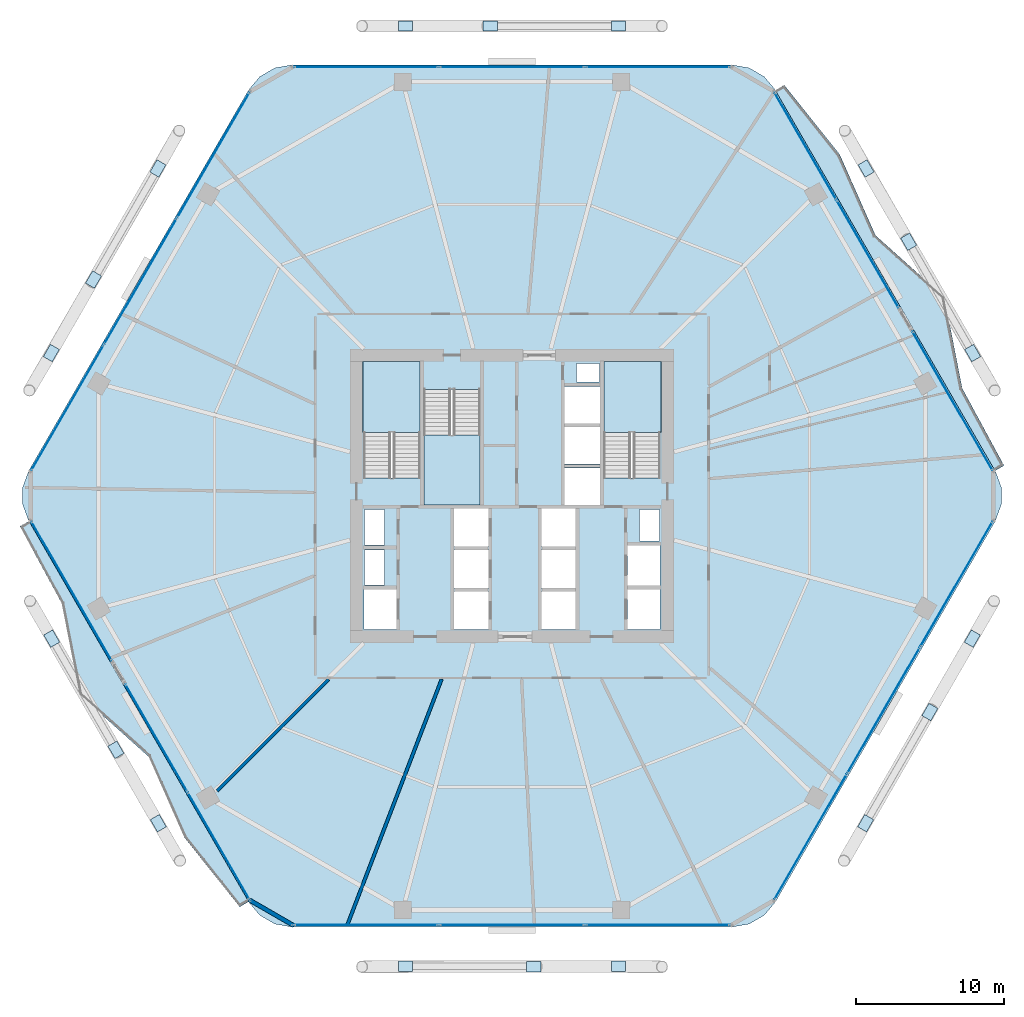
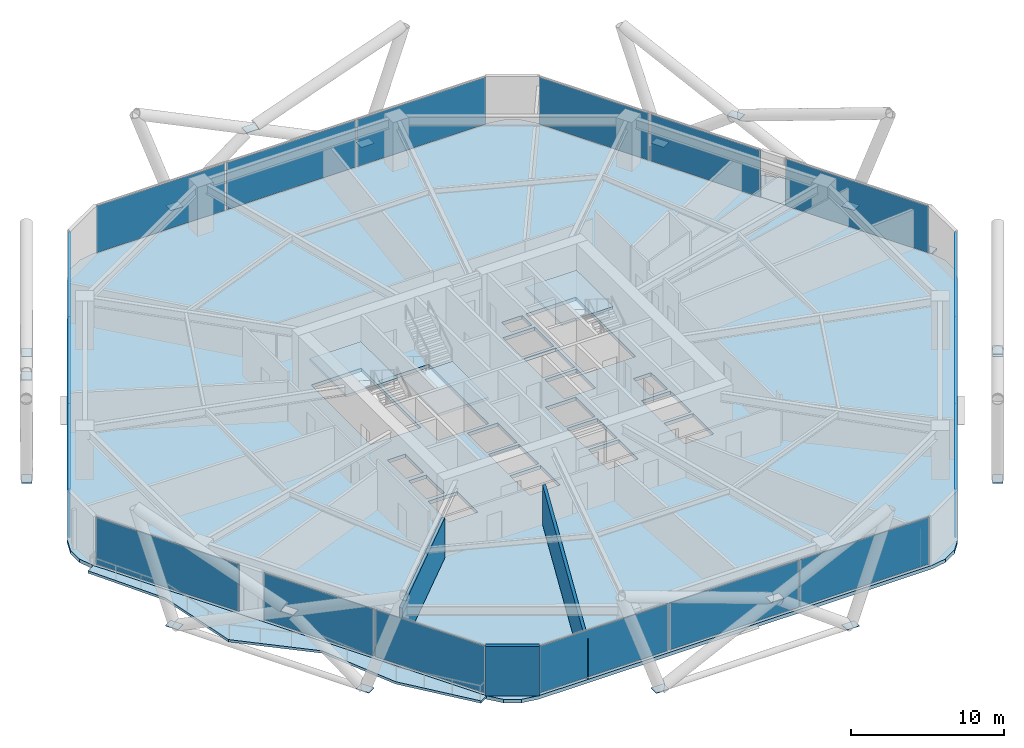
# One storey, part 24 of 30: 36 plates, 6 slabs, 3 walls, 11 elements without a shape of their own.
"""IFC4 building model written with IfcOpenShell, lengths in metres."""

import ifcopenshell
import ifcopenshell.guid

model = None  # the IFC model being written
_history = None  # IfcOwnerHistory: only IFC2X3 demands one
_inside = {}  # id of a spatial element -> (the spatial element, [elements in it])
_under = {}  # id of a project, library or spatial element -> (it, [spatial elements below it])
_declared = {}  # id of a project -> (the project, [libraries it declares])
_typed = {}  # id of a type object -> (the type object, [elements of that type])
_made_of = {}  # id of a material, layer set ... -> (it, [elements and type objects made of it])


def new_model(schema):
    """Start an empty IFC model of exactly this schema.

    Asked for "IFC4X3", IfcOpenShell would pick the latest addendum, in which some entities
    have other attributes; the version numbers below select the first issue.
    IFC2X3 requires an IfcOwnerHistory on every rooted entity: one is made here for all.
    """
    global model, _history
    if schema == "IFC4X3":
        model = ifcopenshell.file(schema_version=(4, 3, 0, 0))
    else:
        model = ifcopenshell.file(schema=schema)
    _inside.clear()
    _under.clear()
    _declared.clear()
    _typed.clear()
    _made_of.clear()
    _history = None
    if model.schema == "IFC2X3":
        org = make("IfcOrganization", Name="unknown")
        user = make(
            "IfcPersonAndOrganization",
            ThePerson=make("IfcPerson", FamilyName="unknown"),
            TheOrganization=org,
        )
        app = make(
            "IfcApplication",
            ApplicationDeveloper=org,
            Version="unknown",
            ApplicationFullName="unknown",
            ApplicationIdentifier="unknown",
        )
        _history = make(
            "IfcOwnerHistory",
            OwningUser=user,
            OwningApplication=app,
            ChangeAction="ADDED",
            CreationDate=0,
        )
    return model


def make(cls, **values):
    """One entity of the class cls with the attributes given. An attribute that is None is left unset."""
    return model.create_entity(
        cls, **{name: value for name, value in values.items() if value is not None}
    )


def rooted(cls, **values):
    """An entity with a GlobalId (a new one), such as an element, a storey or a relation."""
    return make(cls, GlobalId=ifcopenshell.guid.new(), OwnerHistory=_history, **values)


def si_unit(unit_type, name, prefix=None):
    """IfcSIUnit, for example si_unit("LENGTHUNIT", "METRE", prefix="MILLI")."""
    return make("IfcSIUnit", UnitType=unit_type, Prefix=prefix, Name=name)


def assignment(units):
    """IfcUnitAssignment: the units of a project."""
    return None if units is None else make("IfcUnitAssignment", Units=units)


def point(xyz):
    """IfcCartesianPoint."""
    return None if xyz is None else make("IfcCartesianPoint", Coordinates=xyz)


def direction(xyz):
    """IfcDirection."""
    return None if xyz is None else make("IfcDirection", DirectionRatios=xyz)


def frame(location, z_axis=None, x_axis=None):
    """IfcAxis2Placement3D, a coordinate frame: its origin and axes. An axis left out is left unset."""
    return make(
        "IfcAxis2Placement3D",
        Location=point(location),
        Axis=direction(z_axis),
        RefDirection=direction(x_axis),
    )


def frame_2d(location, x_axis=None):
    """IfcAxis2Placement2D, a coordinate frame in the plane: its origin and x axis."""
    return make(
        "IfcAxis2Placement2D", Location=point(location), RefDirection=direction(x_axis)
    )


def origin():
    """The frame at (0, 0, 0) with its axes left unset."""
    return frame((0.0, 0.0, 0.0))


def origin_2d():
    """The frame at (0, 0) in the plane with its x axis left unset."""
    return frame_2d((0.0, 0.0))


def place(relative_to, where):
    """IfcLocalPlacement: puts the frame where relative to a parent placement (None: the world)."""
    return make(
        "IfcLocalPlacement", PlacementRelTo=relative_to, RelativePlacement=where
    )


def context(
    kind, dimensions, precision=None, world=None, true_north=None, identifier=None
):
    """IfcGeometricRepresentationContext, for example the 3D "Model" context."""
    return make(
        "IfcGeometricRepresentationContext",
        ContextIdentifier=identifier,
        ContextType=kind,
        CoordinateSpaceDimension=dimensions,
        Precision=precision,
        WorldCoordinateSystem=world,
        TrueNorth=true_north,
    )


def subcontext(parent, identifier, kind, view, scale=None):
    """IfcGeometricRepresentationSubContext, for example "Body" below "Model"."""
    return make(
        "IfcGeometricRepresentationSubContext",
        ContextIdentifier=identifier,
        ContextType=kind,
        ParentContext=parent,
        TargetScale=scale,
        TargetView=view,
    )


def project(units=None, contexts=None):
    """IfcProject with its units and contexts."""
    return rooted(
        "IfcProject",
        Name="project",
        RepresentationContexts=contexts,
        UnitsInContext=assignment(units),
    )


def spatial(cls, under=None, at=None, **own):
    """A site, building, storey or space (cls), placed at a placement, below another one or the project."""
    s = rooted(cls, ObjectPlacement=at, **own)
    if under is not None:
        _under.setdefault(under.id(), (under, []))[1].append(s)
    return s


def polyline(points):
    """IfcPolyline through the points."""
    return make("IfcPolyline", Points=[point(p) for p in points])


def profile(cls, at=None, kind="AREA", **sizes):
    """A parametric profile (cls). Its sizes go by their IFC names, for example OverallWidth=200.0."""
    return make(cls, ProfileType=kind, Position=at, **sizes)


def rectangle(**sizes):
    """IfcRectangleProfileDef."""
    return profile("IfcRectangleProfileDef", **sizes)


def outline(outer, holes=None, kind="AREA"):
    """IfcArbitraryClosedProfileDef: a profile drawn as a closed curve; with holes, ...WithVoids."""
    if holes is None:
        return make("IfcArbitraryClosedProfileDef", ProfileType=kind, OuterCurve=outer)
    return make(
        "IfcArbitraryProfileDefWithVoids",
        ProfileType=kind,
        OuterCurve=outer,
        InnerCurves=holes,
    )


def extrude(swept, where, along, depth):
    """IfcExtrudedAreaSolid: the profile swept, set in the frame where, extruded along a direction by depth."""
    return make(
        "IfcExtrudedAreaSolid",
        SweptArea=swept,
        Position=where,
        ExtrudedDirection=direction(along),
        Depth=depth,
    )


def shape(context_of_items, identifier, shape_type, items):
    """IfcShapeRepresentation: the items that make up one representation, for example the "Body"."""
    return make(
        "IfcShapeRepresentation",
        ContextOfItems=context_of_items,
        RepresentationIdentifier=identifier,
        RepresentationType=shape_type,
        Items=items,
    )


def material(Name=None, Category=None):
    """IfcMaterial."""
    return make("IfcMaterial", Name=Name, Category=Category)


def layer(
    of_material, thickness, ventilated=None, Name=None, Category=None, Priority=None
):
    """IfcMaterialLayer: one layer of a wall or slab, of a material (None: an air gap)."""
    return make(
        "IfcMaterialLayer",
        Material=of_material,
        LayerThickness=thickness,
        IsVentilated=ventilated,
        Name=Name,
        Category=Category,
        Priority=Priority,
    )


def layer_set(layers, Name=None):
    """IfcMaterialLayerSet."""
    return make("IfcMaterialLayerSet", MaterialLayers=layers, LayerSetName=Name)


def made_of(thing, what):
    """Note that an element or type object is made of a material, layer set ...; save() writes the relation."""
    if what is not None:
        _made_of.setdefault(what.id(), (what, []))[1].append(thing)
    return thing


def type_object(cls, material=None, **own):
    """A type object (cls), such as IfcWallType, which elements share."""
    return made_of(rooted(cls, **own), material)


def element(
    cls,
    number,
    at=None,
    inside=None,
    cuts=None,
    type_object=None,
    material=None,
    context=None,
    identifier="Body",
    shape_type=None,
    held_by="IfcProductDefinitionShape",
    body=None,
    shapes=None,
    **own,
):
    """One element of the class cls, such as IfcWall. Its Tag is "e" and its number.

    at: its placement. inside: the storey or other place that contains it. cuts: it is an
    opening in that element (IfcRelVoidsElement). A single representation is given by context,
    identifier, shape_type and body (its items); several are given by shapes. held_by: the class
    of the entity that holds the representations. save() writes the other relations.
    """
    e = rooted(cls, Tag="e%d" % number, ObjectPlacement=at, **own)
    if body is not None:
        shapes = [shape(context, identifier, shape_type, body)]
    if shapes is not None:
        e.Representation = make(held_by, Representations=shapes)
    if inside is not None:
        _inside.setdefault(inside.id(), (inside, []))[1].append(e)
    if cuts is not None:
        rooted(
            "IfcRelVoidsElement", RelatingBuildingElement=cuts, RelatedOpeningElement=e
        )
    if type_object is not None:
        _typed.setdefault(type_object.id(), (type_object, []))[1].append(e)
    return made_of(e, material)


def aggregate(whole, parts):
    """IfcRelAggregates: a whole, such as a stair, and the parts it consists of."""
    return rooted("IfcRelAggregates", RelatingObject=whole, RelatedObjects=parts)


def save(model, path):
    """Write the relations noted so far, then the file.

    IfcRelAggregates (storeys below a building ...), IfcRelContainedInSpatialStructure (elements
    in a storey), IfcRelDefinesByType, IfcRelAssociatesMaterial and IfcRelDeclares: one each for
    every whole, place, type object, material and project.
    """
    for whole, parts in _under.values():
        aggregate(whole, parts)
    for where, things in _inside.values():
        rooted(
            "IfcRelContainedInSpatialStructure",
            RelatedElements=things,
            RelatingStructure=where,
        )
    for kind, things in _typed.values():
        rooted("IfcRelDefinesByType", RelatedObjects=things, RelatingType=kind)
    for what, things in _made_of.values():
        rooted("IfcRelAssociatesMaterial", RelatedObjects=things, RelatingMaterial=what)
    for by, libraries in _declared.values():
        rooted("IfcRelDeclares", RelatingContext=by, RelatedDefinitions=libraries)
    model.write(path)


model = new_model("IFC4")

# Units and contexts
model_context = context("Model", 3, precision=1e-05, world=origin(), true_north=direction((0.0, 1.0)))
body_context = subcontext(model_context, "Body", "Model", "MODEL_VIEW")
ifc_project = project(units=[si_unit("LENGTHUNIT", "METRE"), si_unit("AREAUNIT", "SQUARE_METRE"), si_unit("VOLUMEUNIT", "CUBIC_METRE"), si_unit("PLANEANGLEUNIT", "RADIAN"), si_unit("MASSUNIT", "GRAM", prefix="KILO")], contexts=[model_context])

# Site, building, storey
site_placement = place(None, origin())
site = spatial("IfcSite", under=ifc_project, at=site_placement, CompositionType="ELEMENT")
building_placement = place(site_placement, origin())
building = spatial("IfcBuilding", under=site, at=building_placement, Name="Zuhravey Tower", CompositionType="ELEMENT")
storey_placement = place(building_placement, frame((0.0, 0.0, 16.199951171875)))
storey = spatial("IfcBuildingStorey", under=building, at=storey_placement, Name="L04", CompositionType="ELEMENT", Elevation=16.199951171875)

# Curtain wall, plates
ifc_material_1 = material(Name="Thermally broken anodised aluminium", Category="aluminium")
curtain_wall_type = type_object("IfcCurtainWallType", Name="School Low-E Unitised Curtain Wall CW1", PredefinedType="NOTDEFINED", material=ifc_material_1)
curtain_wall_1_placement = place(storey_placement, origin())
curtain_wall_1 = element("IfcCurtainWall", 1, at=curtain_wall_1_placement, inside=storey, type_object=curtain_wall_type, Name="L04 CW1 CW-L04-F6-1", PredefinedType="NOTDEFINED")
ifc_material_2 = material(Name="Laminated acoustic low-E vision glass", Category="glass")
ifc_layer_1 = layer(ifc_material_2, 0.048095703125)
ifc_layer_set_1 = layer_set([ifc_layer_1], Name="Laminated acoustic low-E vision glass")
plate_type_1 = type_object("IfcPlateType", Name="Acoustic School Vision Panel", PredefinedType="CURTAIN_PANEL", material=ifc_layer_set_1)
plate_1_placement = place(storey_placement, frame((66.000732421875, 26.045654296875, 0.08984375), z_axis=(0.0, 0.0, 1.0), x_axis=(-0.499999794119, -0.86602552265, 0.0)))
plate_1 = element("IfcPlate", 2, at=plate_1_placement, type_object=plate_type_1, Name="CW1 panel 1.1", PredefinedType="CURTAIN_PANEL", context=body_context, shape_type="SweptSolid", body=[
    extrude(rectangle(XDim=9.7314453125, YDim=0.048095703125, at=origin_2d()), origin(), (0.0, 0.0, 1.0), 3.739990234375),
])
plate_2_placement = place(storey_placement, frame((61.078857421875, 17.520751953125, 0.08984375), z_axis=(0.0, 0.0, 1.0), x_axis=(-0.499999794119, -0.86602552265, 0.0)))
plate_2 = element("IfcPlate", 3, at=plate_2_placement, type_object=plate_type_1, Name="CW1 panel 2.1", PredefinedType="CURTAIN_PANEL", context=body_context, shape_type="SweptSolid", body=[
    extrude(rectangle(XDim=9.7763671875, YDim=0.048095703125, at=origin_2d()), origin(), (0.0, 0.0, 1.0), 3.739990234375),
])
plate_3_placement = place(storey_placement, frame((56.15673828125, 8.995849609375, 0.08984375), z_axis=(0.0, 0.0, 1.0), x_axis=(-0.499999794119, -0.86602552265, 0.0)))
plate_3 = element("IfcPlate", 4, at=plate_3_placement, type_object=plate_type_1, Name="CW1 panel 3.1", PredefinedType="CURTAIN_PANEL", context=body_context, shape_type="SweptSolid", body=[
    extrude(rectangle(XDim=9.7314453125, YDim=0.048095703125, at=origin_2d()), origin(), (0.0, 0.0, 1.0), 3.739990234375),
])
aggregate(curtain_wall_1, [plate_1, plate_2, plate_3])

curtain_wall_2_placement = place(storey_placement, origin())
curtain_wall_2 = element("IfcCurtainWall", 5, at=curtain_wall_2_placement, inside=storey, type_object=curtain_wall_type, Name="L04 CW1 CW-L04-F5-1", PredefinedType="NOTDEFINED")
plate_4_placement = place(storey_placement, frame((45.84375, 3.04150390625, 0.08984375), z_axis=(0.0, 0.0, 1.0), x_axis=(-1.0, 0.0, 0.0)))
plate_4 = element("IfcPlate", 6, at=plate_4_placement, type_object=plate_type_1, Name="CW1 panel 1.1", PredefinedType="CURTAIN_PANEL", context=body_context, shape_type="SweptSolid", body=[
    extrude(rectangle(XDim=9.7314453125, YDim=0.048095703125, at=origin_2d()), origin(), (0.0, 0.0, 1.0), 3.739990234375),
])
plate_5_placement = place(storey_placement, frame((36.0, 3.04150390625, 0.08984375), z_axis=(0.0, 0.0, 1.0), x_axis=(-1.0, 0.0, 0.0)))
plate_5 = element("IfcPlate", 7, at=plate_5_placement, type_object=plate_type_1, Name="CW1 panel 2.1", PredefinedType="CURTAIN_PANEL", context=body_context, shape_type="SweptSolid", body=[
    extrude(rectangle(XDim=9.7763671875, YDim=0.048095703125, at=origin_2d()), origin(), (0.0, 0.0, 1.0), 3.739990234375),
])
plate_6_placement = place(storey_placement, frame((26.15625, 3.04150390625, 0.08984375), z_axis=(0.0, 0.0, 1.0), x_axis=(-1.0, 0.0, 0.0)))
plate_6 = element("IfcPlate", 8, at=plate_6_placement, type_object=plate_type_1, Name="CW1 panel 3.1", PredefinedType="CURTAIN_PANEL", context=body_context, shape_type="SweptSolid", body=[
    extrude(rectangle(XDim=9.7314453125, YDim=0.048095703125, at=origin_2d()), origin(), (0.0, 0.0, 1.0), 3.739990234375),
])
aggregate(curtain_wall_2, [plate_4, plate_5, plate_6])

curtain_wall_3_placement = place(storey_placement, origin())
curtain_wall_3 = element("IfcCurtainWall", 9, at=curtain_wall_3_placement, inside=storey, type_object=curtain_wall_type, Name="L04 CW1 CW-L04-F4-1", PredefinedType="NOTDEFINED")
plate_7_placement = place(storey_placement, frame((16.1953125, 8.3857421875, 0.08984375), z_axis=(0.0, 0.0, 1.0), x_axis=(-0.499999818499, 0.866025508574, 0.0)))
plate_7 = element("IfcPlate", 10, at=plate_7_placement, type_object=plate_type_1, Name="CW1 panel 1.1", PredefinedType="CURTAIN_PANEL", context=body_context, shape_type="SweptSolid", body=[
    extrude(rectangle(XDim=8.322509765625, YDim=0.048095703125, at=origin_2d()), origin(), (0.0, 0.0, 1.0), 3.739990234375),
])
plate_8_placement = place(storey_placement, frame((11.989013671875, 15.671142578125, 0.08984375), z_axis=(0.0, 0.0, 1.0), x_axis=(-0.499999818499, 0.866025508574, 0.0)))
plate_8 = element("IfcPlate", 11, at=plate_8_placement, type_object=plate_type_1, Name="CW1 panel 2.1", PredefinedType="CURTAIN_PANEL", context=body_context, shape_type="SweptSolid", body=[
    extrude(rectangle(XDim=8.322509765625, YDim=0.048095703125, at=origin_2d()), origin(), (0.0, 0.0, 1.0), 3.739990234375),
])
aggregate(curtain_wall_3, [plate_7, plate_8])

# Curtain wall, plate
curtain_wall_4_placement = place(storey_placement, origin())
curtain_wall_4 = element("IfcCurtainWall", 12, at=curtain_wall_4_placement, inside=storey, type_object=curtain_wall_type, Name="L04 CW1 CW-L04-F4-2", PredefinedType="NOTDEFINED")
plate_9_placement = place(storey_placement, frame((6.267333984375, 25.581298828125, 0.08984375), z_axis=(0.0, 0.0, 1.0), x_axis=(-0.499998022171, 0.866026545681, 0.0)))
plate_9 = element("IfcPlate", 13, at=plate_9_placement, type_object=plate_type_1, Name="CW1 panel 1.1", PredefinedType="CURTAIN_PANEL", context=body_context, shape_type="SweptSolid", body=[
    extrude(rectangle(XDim=10.803955078125, YDim=0.048095703125, at=origin_2d()), origin(), (0.0, 0.0, 1.0), 3.739990234375),
])
aggregate(curtain_wall_4, [plate_9])

# Curtain wall, plates
curtain_wall_5_placement = place(storey_placement, origin())
curtain_wall_5 = element("IfcCurtainWall", 14, at=curtain_wall_5_placement, inside=storey, type_object=curtain_wall_type, Name="L04 CW1 CW-L04-F3-1", PredefinedType="NOTDEFINED")
plate_10_placement = place(storey_placement, frame((5.999267578125, 37.954345703125, 0.08984375), z_axis=(0.0, 0.0, 1.0), x_axis=(0.499999794119, 0.86602552265, 0.0)))
plate_10 = element("IfcPlate", 15, at=plate_10_placement, type_object=plate_type_1, Name="CW1 panel 1.1", PredefinedType="CURTAIN_PANEL", context=body_context, shape_type="SweptSolid", body=[
    extrude(rectangle(XDim=9.7314453125, YDim=0.048095703125, at=origin_2d()), origin(), (0.0, 0.0, 1.0), 3.739990234375),
])
plate_11_placement = place(storey_placement, frame((10.921142578125, 46.479248046875, 0.08984375), z_axis=(0.0, 0.0, 1.0), x_axis=(0.499999794119, 0.86602552265, 0.0)))
plate_11 = element("IfcPlate", 16, at=plate_11_placement, type_object=plate_type_1, Name="CW1 panel 2.1", PredefinedType="CURTAIN_PANEL", context=body_context, shape_type="SweptSolid", body=[
    extrude(rectangle(XDim=9.7763671875, YDim=0.048095703125, at=origin_2d()), origin(), (0.0, 0.0, 1.0), 3.739990234375),
])
plate_12_placement = place(storey_placement, frame((15.84326171875, 55.004150390625, 0.08984375), z_axis=(0.0, 0.0, 1.0), x_axis=(0.499999794119, 0.86602552265, 0.0)))
plate_12 = element("IfcPlate", 17, at=plate_12_placement, type_object=plate_type_1, Name="CW1 panel 3.1", PredefinedType="CURTAIN_PANEL", context=body_context, shape_type="SweptSolid", body=[
    extrude(rectangle(XDim=9.7314453125, YDim=0.048095703125, at=origin_2d()), origin(), (0.0, 0.0, 1.0), 3.739990234375),
])
aggregate(curtain_wall_5, [plate_10, plate_11, plate_12])

curtain_wall_6_placement = place(storey_placement, origin())
curtain_wall_6 = element("IfcCurtainWall", 18, at=curtain_wall_6_placement, inside=storey, type_object=curtain_wall_type, Name="L04 CW1 CW-L04-F2-1", PredefinedType="NOTDEFINED")
plate_13_placement = place(storey_placement, frame((26.15625, 60.95849609375, 0.08984375), z_axis=(0.0, 0.0, 1.0), x_axis=(1.0, 0.0, 0.0)))
plate_13 = element("IfcPlate", 19, at=plate_13_placement, type_object=plate_type_1, Name="CW1 panel 1.1", PredefinedType="CURTAIN_PANEL", context=body_context, shape_type="SweptSolid", body=[
    extrude(rectangle(XDim=9.7314453125, YDim=0.048095703125, at=origin_2d()), origin(), (0.0, 0.0, 1.0), 3.739990234375),
])
plate_14_placement = place(storey_placement, frame((36.0, 60.95849609375, 0.08984375), z_axis=(0.0, 0.0, 1.0), x_axis=(1.0, 0.0, 0.0)))
plate_14 = element("IfcPlate", 20, at=plate_14_placement, type_object=plate_type_1, Name="CW1 panel 2.1", PredefinedType="CURTAIN_PANEL", context=body_context, shape_type="SweptSolid", body=[
    extrude(rectangle(XDim=9.7763671875, YDim=0.048095703125, at=origin_2d()), origin(), (0.0, 0.0, 1.0), 3.739990234375),
])
plate_15_placement = place(storey_placement, frame((45.84375, 60.95849609375, 0.08984375), z_axis=(0.0, 0.0, 1.0), x_axis=(1.0, 0.0, 0.0)))
plate_15 = element("IfcPlate", 21, at=plate_15_placement, type_object=plate_type_1, Name="CW1 panel 3.1", PredefinedType="CURTAIN_PANEL", context=body_context, shape_type="SweptSolid", body=[
    extrude(rectangle(XDim=9.7314453125, YDim=0.048095703125, at=origin_2d()), origin(), (0.0, 0.0, 1.0), 3.739990234375),
])
aggregate(curtain_wall_6, [plate_13, plate_14, plate_15])

curtain_wall_7_placement = place(storey_placement, origin())
curtain_wall_7 = element("IfcCurtainWall", 22, at=curtain_wall_7_placement, inside=storey, type_object=curtain_wall_type, Name="L04 CW1 CW-L04-F1-1", PredefinedType="NOTDEFINED")
plate_16_placement = place(storey_placement, frame((55.8046875, 55.6142578125, 0.08984375), z_axis=(0.0, 0.0, 1.0), x_axis=(0.499999818499, -0.866025508574, 0.0)))
plate_16 = element("IfcPlate", 23, at=plate_16_placement, type_object=plate_type_1, Name="CW1 panel 1.1", PredefinedType="CURTAIN_PANEL", context=body_context, shape_type="SweptSolid", body=[
    extrude(rectangle(XDim=8.322509765625, YDim=0.048095703125, at=origin_2d()), origin(), (0.0, 0.0, 1.0), 3.739990234375),
])
plate_17_placement = place(storey_placement, frame((60.010986328125, 48.328857421875, 0.08984375), z_axis=(0.0, 0.0, 1.0), x_axis=(0.499999818499, -0.866025508574, 0.0)))
plate_17 = element("IfcPlate", 24, at=plate_17_placement, type_object=plate_type_1, Name="CW1 panel 2.1", PredefinedType="CURTAIN_PANEL", context=body_context, shape_type="SweptSolid", body=[
    extrude(rectangle(XDim=8.322509765625, YDim=0.048095703125, at=origin_2d()), origin(), (0.0, 0.0, 1.0), 3.739990234375),
])
aggregate(curtain_wall_7, [plate_16, plate_17])

# Curtain wall, plate
curtain_wall_8_placement = place(storey_placement, origin())
curtain_wall_8 = element("IfcCurtainWall", 25, at=curtain_wall_8_placement, inside=storey, type_object=curtain_wall_type, Name="L04 CW1 CW-L04-F1-2", PredefinedType="NOTDEFINED")
plate_18_placement = place(storey_placement, frame((65.732666015625, 38.418701171875, 0.08984375), z_axis=(0.0, 0.0, 1.0), x_axis=(0.499998022171, -0.866026545681, 0.0)))
plate_18 = element("IfcPlate", 26, at=plate_18_placement, type_object=plate_type_1, Name="CW1 panel 1.1", PredefinedType="CURTAIN_PANEL", context=body_context, shape_type="SweptSolid", body=[
    extrude(rectangle(XDim=10.803955078125, YDim=0.048095703125, at=origin_2d()), origin(), (0.0, 0.0, 1.0), 3.739990234375),
])
aggregate(curtain_wall_8, [plate_18])

# Plates
ifc_material_3 = material(Name="Steel SM460", Category="steel")
ifc_layer_2 = layer(ifc_material_3, 0.0400390625)
ifc_layer_set_2 = layer_set([ifc_layer_2], Name="Steel SM460")
plate_type_2 = type_object("IfcPlateType", Name="Exoskeleton Zone 1 Node Plate ND1", PredefinedType="SHEET", material=ifc_layer_set_2)
for number, where, z_axis, x_axis, name in (
    (27, (67.091796875, 41.644287109375, -0.513916015625), (0.0, 0.0, 1.0), (-0.5, 0.866025403784, 0.0), "L04 Exoskeleton Node Gusset L04-01"),
    (28, (59.898193359375, 54.104248046875, -0.513916015625), (0.0, 0.0, 1.0), (-0.5, 0.866025403784, 0.0), "L04 Exoskeleton Node Gusset L04-02"),
    (29, (43.19384765625, 63.718505859375, -0.513916015625), (0.0, 0.0, 1.0), (-1.0, 0.0, 0.0), "L04 Exoskeleton Node Gusset L04-03"),
    (30, (28.80615234375, 63.718505859375, -0.513916015625), (0.0, 0.0, 1.0), (-1.0, 0.0, 0.0), "L04 Exoskeleton Node Gusset L04-04"),
    (31, (12.101806640625, 54.104248046875, -0.513916015625), (0.0, 0.0, 1.0), (-0.5, -0.866025403784, 0.0), "L04 Exoskeleton Node Gusset L04-05"),
    (32, (4.908203125, 41.644287109375, -0.513916015625), (0.0, 0.0, 1.0), (-0.5, -0.866025403784, 0.0), "L04 Exoskeleton Node Gusset L04-06"),
    (33, (4.93408203125, 22.370849609375, -0.513916015625), (0.0, 0.0, 1.0), (0.5, -0.866025403784, 0.0), "L04 Exoskeleton Node Gusset L04-07"),
    (34, (12.1279296875, 9.91064453125, -0.513916015625), (0.0, 0.0, 1.0), (0.5, -0.866025403784, 0.0), "L04 Exoskeleton Node Gusset L04-08"),
    (35, (28.80615234375, 0.25146484375, -0.513916015625), (0.0, 0.0, 1.0), (1.0, 0.0, 0.0), "L04 Exoskeleton Node Gusset L04-09"),
    (36, (43.19384765625, 0.25146484375, -0.513916015625), (0.0, 0.0, 1.0), (1.0, 0.0, 0.0), "L04 Exoskeleton Node Gusset L04-10"),
    (37, (59.8720703125, 9.91064453125, -0.513916015625), (0.0, 0.0, 1.0), (0.5, 0.866025403784, 0.0), "L04 Exoskeleton Node Gusset L04-11"),
    (38, (67.06591796875, 22.370849609375, -0.513916015625), (0.0, 0.0, 1.0), (0.5, 0.866025403784, 0.0), "L04 Exoskeleton Node Gusset L04-12"),
    (39, (62.772216796875, 49.156005859375, 3.68603515625), (0.0, 0.0, 1.0), (-0.5, 0.866025403784, 0.0), "L04 Face 1 Diagrid X-Crossing Plate"),
    (40, (34.528564453125, 63.718505859375, 3.68603515625), (0.0, 0.0, 1.0), (-1.0, 0.0, 0.0), "L04 Face 2 Diagrid X-Crossing Plate"),
    (41, (7.75634765625, 46.607421875, 3.68603515625), (0.0, 0.0, 1.0), (-0.5, -0.866025403784, 0.0), "L04 Face 3 Diagrid X-Crossing Plate"),
    (42, (9.266845703125, 14.866455078125, 3.68603515625), (0.0, 0.0, 1.0), (0.5, -0.866025403784, 0.0), "L04 Face 4 Diagrid X-Crossing Plate"),
    (43, (37.471435546875, 0.236572265625, 3.68603515625), (0.0, 0.0, 1.0), (1.0, 0.0, 0.0), "L04 Face 5 Diagrid X-Crossing Plate"),
    (44, (64.204833984375, 17.4150390625, 3.68603515625), (0.0, 0.0, 1.0), (0.5, 0.866025403784, 0.0), "L04 Face 6 Diagrid X-Crossing Plate"),
):
    element("IfcPlate", number, at=place(storey_placement, frame(where, z_axis=z_axis, x_axis=x_axis)), inside=storey, type_object=plate_type_2, Name=name, PredefinedType="SHEET", context=body_context, shape_type="SweptSolid", body=[
        extrude(rectangle(XDim=0.9599609375, YDim=0.699951171875, at=origin_2d()), origin(), (0.0, 0.0, 1.0), 0.0400390625),
    ])

# Slabs
ifc_material_4 = material(Name="Concrete C50/60", Category="concrete")
ifc_layer_3 = layer(ifc_material_4, 0.280029296875)
ifc_layer_set_3 = layer_set([ifc_layer_3], Name="Concrete C50/60")
slab_type_1 = type_object("IfcSlabType", Name="School Composite Floor Slab 280", PredefinedType="FLOOR", material=ifc_layer_set_3)
slab_1_placement = place(storey_placement, frame((0.0, 0.0, -0.280029296875)))
element("IfcSlab", 45, at=slab_1_placement, inside=storey, type_object=slab_type_1, Name="L04 Floor Slab FS28", PredefinedType="FLOOR", context=body_context, shape_type="SweptSolid", body=[
    extrude(outline(polyline([(68.618408203125, 30.300048828125), (69.0224609375, 31.40966796875), (69.0224609375, 32.59033203125), (68.618408203125, 33.699951171875), (53.781494140625, 59.3984375), (53.0224609375, 60.302978515625), (52.0, 60.893310546875), (50.8369140625, 61.098388671875), (21.1630859375, 61.098388671875), (20.0, 60.893310546875), (18.9775390625, 60.302978515625), (18.218505859375, 59.3984375), (3.381591796875, 33.699951171875), (2.9775390625, 32.59033203125), (2.9775390625, 31.40966796875), (3.381591796875, 30.300048828125), (18.218505859375, 4.6015625), (18.9775390625, 3.697021484375), (20.0, 3.106689453125), (21.1630859375, 2.901611328125), (50.8369140625, 2.901611328125), (52.0, 3.106689453125), (53.0224609375, 3.697021484375), (53.781494140625, 4.6015625), (68.618408203125, 30.300048828125)]), holes=[polyline([(29.800048828125, 33.20068359375), (29.800048828125, 41.0), (26.0, 41.0), (26.0, 33.20068359375), (29.800048828125, 33.20068359375)]), polyline([(46.0, 33.20068359375), (46.0, 41.0), (42.199951171875, 41.0), (42.199951171875, 33.20068359375), (46.0, 33.20068359375)]), polyline([(30.050048828125, 39.199462890625), (30.050048828125, 31.39990234375), (33.85009765625, 31.39990234375), (33.85009765625, 39.199462890625), (30.050048828125, 39.199462890625)]), polyline([(32.10009765625, 23.0), (34.39990234375, 23.0), (34.39990234375, 25.550048828125), (32.10009765625, 25.550048828125), (32.10009765625, 23.0)]), polyline([(32.10009765625, 25.800048828125), (34.39990234375, 25.800048828125), (34.39990234375, 28.35009765625), (32.10009765625, 28.35009765625), (32.10009765625, 25.800048828125)]), polyline([(32.10009765625, 28.60009765625), (34.39990234375, 28.60009765625), (34.39990234375, 31.14990234375), (32.10009765625, 31.14990234375), (32.10009765625, 28.60009765625)]), polyline([(38.0, 23.0), (40.300048828125, 23.0), (40.300048828125, 25.550048828125), (38.0, 25.550048828125), (38.0, 23.0)]), polyline([(38.0, 25.800048828125), (40.300048828125, 25.800048828125), (40.300048828125, 28.35009765625), (38.0, 28.35009765625), (38.0, 25.800048828125)]), polyline([(38.0, 28.60009765625), (40.300048828125, 28.60009765625), (40.300048828125, 31.14990234375), (38.0, 31.14990234375), (38.0, 28.60009765625)]), polyline([(39.550048828125, 31.39990234375), (41.949951171875, 31.39990234375), (41.949951171875, 33.89990234375), (39.550048828125, 33.89990234375), (39.550048828125, 31.39990234375)]), polyline([(39.550048828125, 34.14990234375), (41.949951171875, 34.14990234375), (41.949951171875, 36.64990234375), (39.550048828125, 36.64990234375), (39.550048828125, 34.14990234375)]), polyline([(39.550048828125, 36.89990234375), (41.949951171875, 36.89990234375), (41.949951171875, 39.39990234375), (39.550048828125, 39.39990234375), (39.550048828125, 36.89990234375)]), polyline([(26.0, 23.0), (28.199951171875, 23.0), (28.199951171875, 25.699951171875), (26.0, 25.699951171875), (26.0, 23.0)]), polyline([(43.800048828125, 23.0), (46.0, 23.0), (46.0, 25.699951171875), (43.800048828125, 25.699951171875), (43.800048828125, 23.0)]), polyline([(43.800048828125, 25.949951171875), (46.0, 25.949951171875), (46.0, 28.64990234375), (43.800048828125, 28.64990234375), (43.800048828125, 25.949951171875)]), polyline([(26.050048828125, 26.0), (27.39990234375, 26.0), (27.39990234375, 28.35009765625), (26.050048828125, 28.35009765625), (26.050048828125, 26.0)]), polyline([(26.050048828125, 28.699951171875), (27.39990234375, 28.699951171875), (27.39990234375, 31.10009765625), (26.050048828125, 31.10009765625), (26.050048828125, 28.699951171875)]), polyline([(44.60009765625, 28.949951171875), (45.949951171875, 28.949951171875), (45.949951171875, 31.10009765625), (44.60009765625, 31.10009765625), (44.60009765625, 28.949951171875)]), polyline([(40.35009765625, 39.699951171875), (41.89990234375, 39.699951171875), (41.89990234375, 40.949951171875), (40.35009765625, 40.949951171875), (40.35009765625, 39.699951171875)])]), origin(), (0.0, 0.0, 1.0), 0.280029296875),
])
ifc_material_5 = material(Name="Precast concrete C40/50", Category="concrete")
ifc_layer_4 = layer(ifc_material_5, 0.18994140625)
ifc_layer_set_4 = layer_set([ifc_layer_4], Name="Precast concrete C40/50")
slab_type_2 = type_object("IfcSlabType", Name="Sinusoidal School Sunshade Ledge 190", PredefinedType="FLOOR", material=ifc_layer_set_4)
slab_2_placement = place(storey_placement, frame((0.0, 0.0, -0.18994140625)))
element("IfcSlab", 46, at=slab_2_placement, inside=storey, type_object=slab_type_2, Name="L04 Face 1 Wave Balcony WL19", PredefinedType="FLOOR", context=body_context, shape_type="SweptSolid", body=[
    extrude(outline(polyline([(68.601318359375, 33.699951171875), (53.772705078125, 59.383544921875), (54.37890625, 59.7333984375), (58.1181640625, 55.043212890625), (60.531982421875, 49.587890625), (65.1796875, 45.422607421875), (66.38330078125, 39.268310546875), (69.20751953125, 34.050048828125), (68.601318359375, 33.699951171875)])), origin(), (0.0, 0.0, 1.0), 0.18994140625),
])
slab_3_placement = place(storey_placement, frame((0.0, 0.0, -0.18994140625)))
element("IfcSlab", 47, at=slab_3_placement, inside=storey, type_object=slab_type_2, Name="L04 Face 4 Wave Balcony WL19", PredefinedType="FLOOR", context=body_context, shape_type="SweptSolid", body=[
    extrude(outline(polyline([(3.398681640625, 30.300048828125), (18.227294921875, 4.616455078125), (17.62109375, 4.2666015625), (13.8818359375, 8.956787109375), (11.468017578125, 14.412109375), (6.8203125, 18.577392578125), (5.61669921875, 24.731689453125), (2.79248046875, 29.949951171875), (3.398681640625, 30.300048828125)])), origin(), (0.0, 0.0, 1.0), 0.18994140625),
])

# Stair, slab
ifc_material_6 = material(Name="Concrete C40/50", Category="concrete")
stair_type = type_object("IfcStairType", Name="School Storey Stair Assembly 4200", PredefinedType="HALF_TURN_STAIR", material=ifc_material_6)
stair_1_placement = place(storey_placement, origin())
stair_1 = element("IfcStair", 48, at=stair_1_placement, inside=storey, type_object=stair_type, Name="L04 Core Exit Stair ST1", PredefinedType="HALF_TURN_STAIR")
ifc_layer_5 = layer(ifc_material_6, 0.199951171875)
ifc_layer_set_5 = layer_set([ifc_layer_5], Name="Concrete C40/50")
slab_type_3 = type_object("IfcSlabType", Name="Stair Landing Slab 200", PredefinedType="LANDING", material=ifc_layer_set_5)
slab_4_placement = place(storey_placement, frame((0.0, 0.0, 1.900146484375)))
slab_4 = element("IfcSlab", 49, at=slab_4_placement, type_object=slab_type_3, Name="ST1 landing 1", PredefinedType="LANDING", context=body_context, shape_type="SweptSolid", body=[
    extrude(outline(polyline([(29.800048828125, 36.280029296875), (29.800048828125, 41.072998046875), (25.927001953125, 41.072998046875), (25.927001953125, 36.280029296875), (29.800048828125, 36.280029296875)])), origin(), (0.0, 0.0, 1.0), 0.199951171875),
])
aggregate(stair_1, [slab_4])

stair_2_placement = place(storey_placement, origin())
stair_2 = element("IfcStair", 50, at=stair_2_placement, inside=storey, type_object=stair_type, Name="L04 Core Exit Stair ST2", PredefinedType="HALF_TURN_STAIR")
slab_5_placement = place(storey_placement, frame((0.0, 0.0, 1.900146484375)))
slab_5 = element("IfcSlab", 51, at=slab_5_placement, type_object=slab_type_3, Name="ST2 landing 1", PredefinedType="LANDING", context=body_context, shape_type="SweptSolid", body=[
    extrude(outline(polyline([(46.072998046875, 36.280029296875), (46.072998046875, 41.072998046875), (42.199951171875, 41.072998046875), (42.199951171875, 36.280029296875), (46.072998046875, 36.280029296875)])), origin(), (0.0, 0.0, 1.0), 0.199951171875),
])
aggregate(stair_2, [slab_5])

stair_3_placement = place(storey_placement, origin())
stair_3 = element("IfcStair", 52, at=stair_3_placement, inside=storey, type_object=stair_type, Name="L04 Core Exit Stair ST3", PredefinedType="HALF_TURN_STAIR")
slab_6_placement = place(storey_placement, frame((0.0, 0.0, 1.900146484375)))
slab_6 = element("IfcSlab", 53, at=slab_6_placement, type_object=slab_type_3, Name="ST3 landing 1", PredefinedType="LANDING", context=body_context, shape_type="SweptSolid", body=[
    extrude(outline(polyline([(30.050048828125, 36.1201171875), (30.050048828125, 31.39990234375), (33.85009765625, 31.39990234375), (33.85009765625, 36.1201171875), (30.050048828125, 36.1201171875)])), origin(), (0.0, 0.0, 1.0), 0.199951171875),
])
aggregate(stair_3, [slab_6])

# Walls
ifc_layer_6 = layer(ifc_material_5, 0.280029296875)
ifc_layer_set_6 = layer_set([ifc_layer_6], Name="Precast concrete C40/50")
wall_type_1 = type_object("IfcWallType", Name="Crown Architectural Wall 280", PredefinedType="SOLIDWALL", material=ifc_layer_set_6)
wall_1_placement = place(storey_placement, frame((21.28271484375, 2.993896484375, 0.0), z_axis=(0.0, 0.0, 1.0), x_axis=(-0.866007452331, 0.500031091541, 0.0)))
element("IfcWall", 54, at=wall_1_placement, inside=storey, type_object=wall_type_1, Name="L04 Rounded Corner Closure Wall EW28-04", PredefinedType="SOLIDWALL", context=body_context, shape_type="SweptSolid", body=[
    extrude(rectangle(XDim=3.514892578125, YDim=0.280029296875, at=frame_2d((1.75732421875, 0.0))), origin(), (0.0, 0.0, 1.0), 3.920166015625),
])
ifc_material_7 = material(Name="Gypsum acoustic stud assembly")
ifc_layer_7 = layer(ifc_material_7, 0.219970703125)
ifc_layer_set_7 = layer_set([ifc_layer_7], Name="Gypsum acoustic stud assembly")
wall_type_2 = type_object("IfcWallType", Name="School Acoustic Compartment Wall 220", PredefinedType="PARTITIONING", material=ifc_layer_set_7)
wall_2_placement = place(storey_placement, frame((23.626953125, 19.626953125, 0.0), z_axis=(0.0, 0.0, 1.0), x_axis=(-0.707106781187, -0.707106781187, 0.0)))
element("IfcWall", 55, at=wall_2_placement, inside=storey, type_object=wall_type_2, Name="L04 IW22 Partition 058", PredefinedType="PARTITIONING", context=body_context, shape_type="SweptSolid", body=[
    extrude(rectangle(XDim=10.643310546875, YDim=0.219970703125, at=frame_2d((5.32177734375, 0.0))), origin(), (0.0, 0.0, 1.0), 3.219970703125),
])
wall_3_placement = place(storey_placement, frame((31.25048828125, 19.626953125, 0.0), z_axis=(0.0, 0.0, 1.0), x_axis=(-0.358374904207, -0.933577756823, 0.0)))
element("IfcWall", 56, at=wall_3_placement, inside=storey, type_object=wall_type_2, Name="L04 IW22 Partition 059", PredefinedType="PARTITIONING", context=body_context, shape_type="SweptSolid", body=[
    extrude(rectangle(XDim=17.765380859375, YDim=0.219970703125, at=frame_2d((8.8828125, 0.0))), origin(), (0.0, 0.0, 1.0), 3.170166015625),
])

save(model, "model.ifc")
